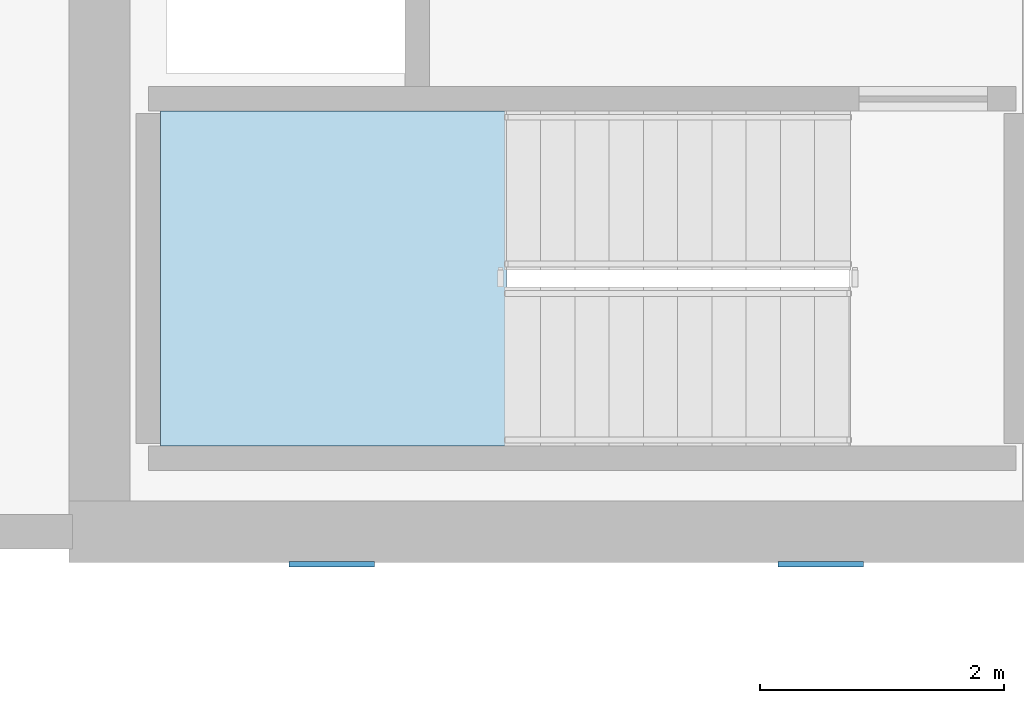
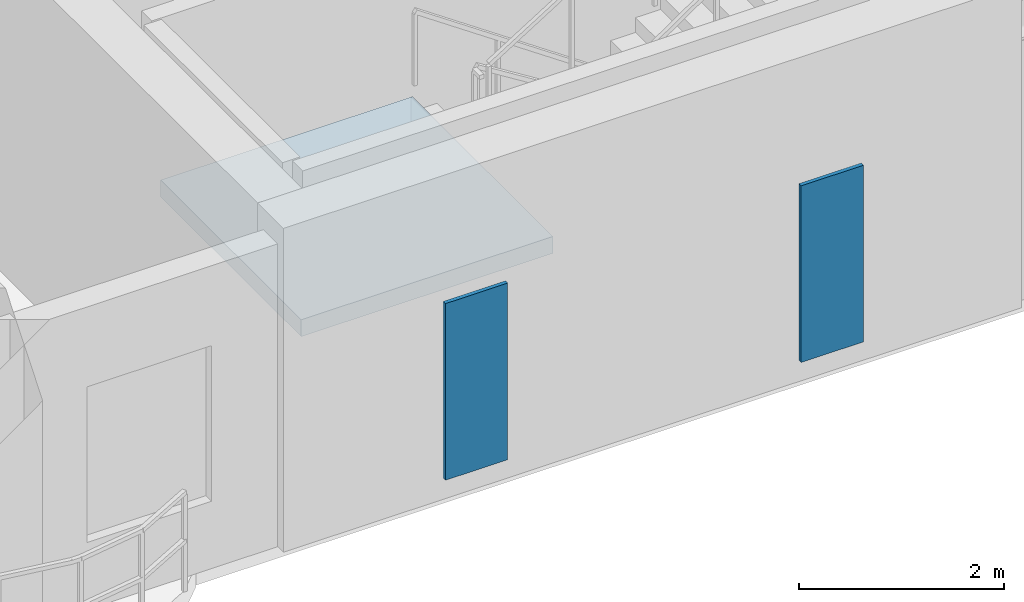
# One storey, part 2 of 14: 2 plates, 1 slab, 1 element without a shape of its own.
"""IFC4 building model written with IfcOpenShell, lengths in metres."""

from ifc_helpers import new_model, si_unit, derived_unit, direction, frame, origin, origin_2d, place, context, subcontext, project, spatial, polyline, rectangle, outline, extrude, source, transform, mapped, material, layer, layer_set, type_object, type_shapes, element, aggregate, save


model = new_model("IFC4")

# Units and contexts
model_context = context("Model", 3, precision=1e-05, world=origin(), true_north=direction((0.0, 1.0)))
body_context = subcontext(model_context, "Body", "Model", "MODEL_VIEW")
ifc_project = project(units=[si_unit("LENGTHUNIT", "METRE"), si_unit("AREAUNIT", "SQUARE_METRE"), si_unit("VOLUMEUNIT", "CUBIC_METRE"), si_unit("PLANEANGLEUNIT", "RADIAN"), si_unit("MASSUNIT", "GRAM", prefix="KILO"), si_unit("THERMODYNAMICTEMPERATUREUNIT", "KELVIN"), si_unit("POWERUNIT", "WATT"), derived_unit("THERMALTRANSMITTANCEUNIT", [(si_unit("POWERUNIT", "WATT"), 1), (si_unit("AREAUNIT", "SQUARE_METRE"), -1), (si_unit("THERMODYNAMICTEMPERATUREUNIT", "KELVIN"), -1)])], contexts=[model_context])

# Site, building, storey
site_placement = place(None, origin())
site = spatial("IfcSite", under=ifc_project, at=site_placement, CompositionType="ELEMENT")
building_placement = place(site_placement, origin())
building = spatial("IfcBuilding", under=site, at=building_placement, Name="Zahravan Archway Hotel and Residences", CompositionType="ELEMENT")
storey_placement = place(building_placement, frame((0.0, 0.0, 188.800048828125)))
storey = spatial("IfcBuildingStorey", under=building, at=storey_placement, Name="L47", CompositionType="ELEMENT", Elevation=188.800048828125)

# Stair, slab
ifc_material_1 = material(Name="Concrete C50/60", Category="concrete")
stair_type = type_object("IfcStairType", Name="STR-CORE-1300", PredefinedType="HALF_TURN_STAIR", material=ifc_material_1)
stair_placement = place(storey_placement, origin())
stair = element("IfcStair", 1, at=stair_placement, inside=storey, type_object=stair_type, Name="L47 Core B Exit Stair 1", PredefinedType="HALF_TURN_STAIR")
ifc_layer_1 = layer(ifc_material_1, 0.199951171875, Name="Concrete C50/60", Category="concrete")
ifc_layer_set_1 = layer_set([ifc_layer_1], Name="Concrete C50/60")
slab_type = type_object("IfcSlabType", Name="SLB-LND-200", PredefinedType="LANDING", material=ifc_layer_set_1)
slab_placement = place(storey_placement, frame((0.0, 0.0, 1.724853515625)))
slab = element("IfcSlab", 2, at=slab_placement, type_object=slab_type, Name="ST-B1 landing 1", PredefinedType="LANDING", context=body_context, shape_type="SweptSolid", body=[
    extrude(outline(polyline([(6.929931640625, 28.639892578125), (4.10009765625, 28.639892578125), (4.10009765625, 25.89990234375), (6.929931640625, 25.89990234375), (6.929931640625, 28.639892578125)])), origin(), (0.0, 0.0, 1.0), 0.2001953125),
])
aggregate(stair, [slab])

# Plates
ifc_material_2 = material(Name="Perforated Cast Bronze Jali Lattice")
ifc_layer_2 = layer(ifc_material_2, 0.044921875, Name="Perforated Cast Bronze Jali Lattice")
ifc_layer_set_2 = layer_set([ifc_layer_2], Name="Perforated Cast Bronze Jali Lattice")
plate_type = type_object("IfcPlateType", Name="PLT-JALI-BAY", PredefinedType="USERDEFINED", material=ifc_layer_set_2)
shared_shape = source(origin(), body_context, "Body", "SweptSolid", [
    extrude(rectangle(XDim=0.699951171875, YDim=0.044921875, at=origin_2d()), origin(), (0.0, 0.0, 1.0), 2.10009765625),
])
type_shapes(plate_type, [shared_shape])
for number, where, z_axis, x_axis, name in (
    (3, (5.5, 24.931884765625, 0.25), (0.0, 0.0, 1.0), (1.0, 0.0, 0.0), "L47 Core B South Mughal Jali Screen 1"),
    (4, (9.5, 24.931884765625, 0.25), (0.0, 0.0, 1.0), (1.0, 0.0, 0.0), "L47 Core B South Mughal Jali Screen 2"),
):
    element("IfcPlate", number, at=place(storey_placement, frame(where, z_axis=z_axis, x_axis=x_axis)), inside=storey, type_object=plate_type, Name=name, ObjectType="SCREEN", PredefinedType="USERDEFINED", context=body_context, shape_type="MappedRepresentation", body=[
        mapped(shared_shape, transform((0.0, 0.0, 0.0), scale=1.0)),
    ])

save(model, "model.ifc")
